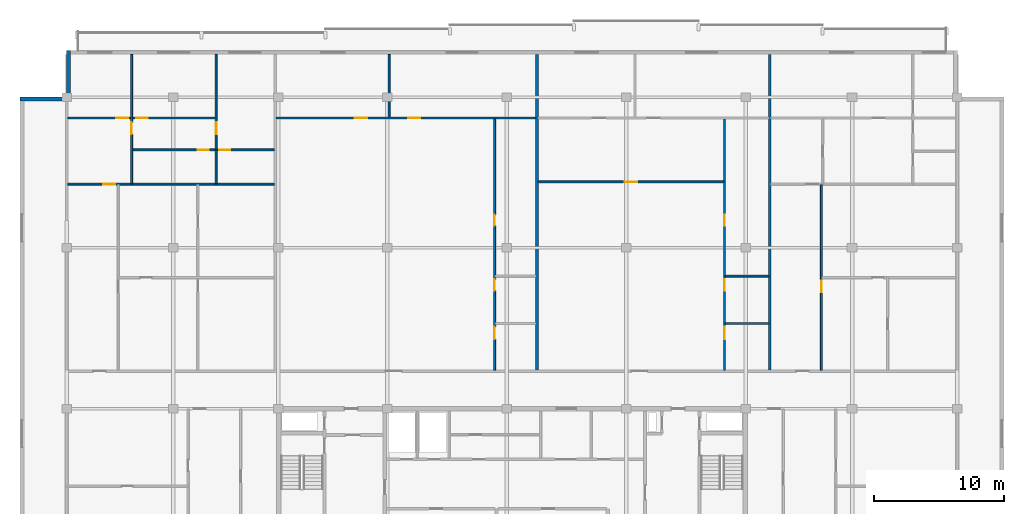
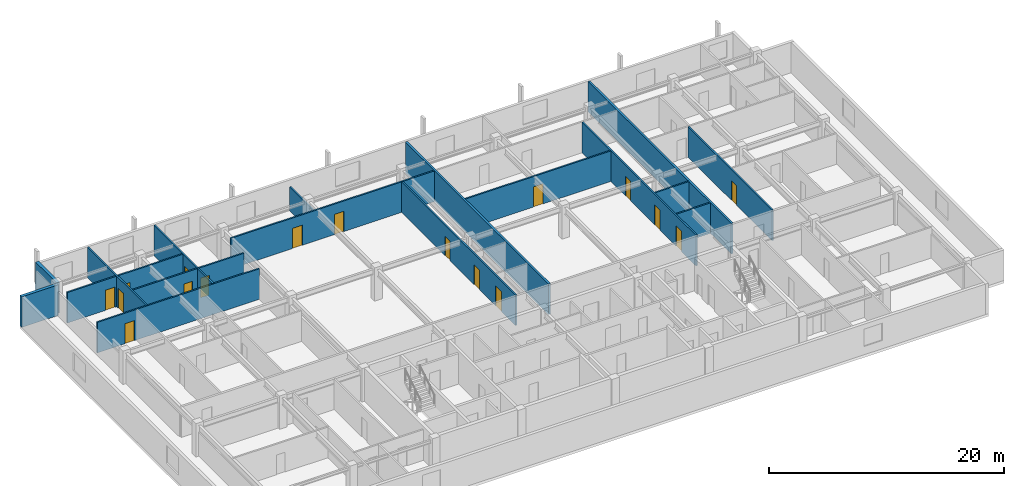
# One storey, part 6 of 10: 18 walls, 17 doors, 17 openings.
"""IFC4 building model written with IfcOpenShell, lengths in metres."""

from ifc_helpers import new_model, si_unit, direction, frame, frame_2d, origin, place, context, subcontext, project, spatial, rectangle, extrude, material, layer, layer_set, type_object, element, fill, save


model = new_model("IFC4")

# Units and contexts
model_context = context("Model", 3, precision=1e-05, world=origin(), true_north=direction((0.0, 1.0)))
body_context = subcontext(model_context, "Body", "Model", "MODEL_VIEW")
ifc_project = project(units=[si_unit("LENGTHUNIT", "METRE"), si_unit("AREAUNIT", "SQUARE_METRE"), si_unit("VOLUMEUNIT", "CUBIC_METRE"), si_unit("PLANEANGLEUNIT", "RADIAN"), si_unit("MASSUNIT", "GRAM", prefix="KILO")], contexts=[model_context])

# Site, building, storey
site_placement = place(None, origin())
site = spatial("IfcSite", under=ifc_project, at=site_placement, CompositionType="ELEMENT")
building_placement = place(site_placement, origin())
building = spatial("IfcBuilding", under=site, at=building_placement, Name="Korimba Cascade Residences", CompositionType="ELEMENT")
storey_placement = place(building_placement, frame((0.0, 0.0, 245.89990234375)))
storey = spatial("IfcBuildingStorey", under=building, at=storey_placement, Name="L71", CompositionType="ELEMENT", Elevation=245.89990234375)

# Walls
ifc_material_1 = material(Name="Precast concrete C40/50", Category="concrete")
ifc_layer_1 = layer(ifc_material_1, 0.300048828125)
ifc_layer_set_1 = layer_set([ifc_layer_1], Name="Precast concrete C40/50")
wall_type_1 = type_object("IfcWallType", Name="EW-STONE-300", PredefinedType="STANDARD", material=ifc_layer_set_1)
for number, where, z_axis, x_axis, name in (
    (1, (59.949951171875, 94.800048828125, 0.0), (0.0, 0.0, 1.0), (0.0, -1.0, 0.0), "L71 T1 Perimeter Stone Wall E07"),
    (2, (59.800048828125, 91.050048828125, 0.0), (0.0, 0.0, 1.0), (-1.0, 0.0, 0.0), "L71 T1 Perimeter Stone Wall E08"),
):
    element("IfcWall", number, at=place(storey_placement, frame(where, z_axis=z_axis, x_axis=x_axis)), inside=storey, type_object=wall_type_1, Name=name, PredefinedType="STANDARD", context=body_context, shape_type="SweptSolid", body=[
        extrude(rectangle(XDim=3.60009765625, YDim=0.300048828125, at=frame_2d((1.800048828125, 0.0))), origin(), (0.0, 0.0, 1.0), 3.170166015625),
    ])
ifc_layer_2 = layer(ifc_material_1, 0.199951171875)
ifc_layer_set_2 = layer_set([ifc_layer_2], Name="Precast concrete C40/50")
wall_type_2 = type_object("IfcWallType", Name="WAL-IT-200", PredefinedType="PARTITIONING", material=ifc_layer_set_2)
for number, where, z_axis, x_axis, name in (
    (3, (96.0244140625, 70.179931640625, 0.0), (0.0, 0.0, 1.0), (0.0, 1.0, 0.0), "L71 Partition Wall WAL-L71-T1-DEM-2"),
    (4, (113.96875, 70.179931640625, 0.0), (0.0, 0.0, 1.0), (0.0, 1.0, 0.0), "L71 Partition Wall WAL-L71-T1-DEM-3"),
):
    element("IfcWall", number, at=place(storey_placement, frame(where, z_axis=z_axis, x_axis=x_axis)), inside=storey, type_object=wall_type_2, Name=name, PredefinedType="PARTITIONING", context=body_context, shape_type="SweptSolid", body=[
        extrude(rectangle(XDim=24.320068359375, YDim=0.199951171875, at=frame_2d((12.16015625, 0.0))), origin(), (0.0, 0.0, 1.0), 3.170166015625),
    ])

# Wall, opening, door
ifc_material_2 = material(Name="Insulated Acoustic Stud Partition", Category="gypsum")
ifc_layer_3 = layer(ifc_material_2, 0.14990234375)
ifc_layer_set_3 = layer_set([ifc_layer_3], Name="Insulated Acoustic Stud Partition")
wall_type_3 = type_object("IfcWallType", Name="WAL-PART-150", PredefinedType="PARTITIONING", material=ifc_layer_set_3)
wall_1_placement = place(storey_placement, frame((64.800048828125, 84.5400390625, 0.0), z_axis=(0.0, 0.0, 1.0), x_axis=(0.0, 1.0, 0.0)))
wall_1 = element("IfcWall", 5, at=wall_1_placement, inside=storey, type_object=wall_type_3, Name="L71 Partition Wall WAL-L71-T1-U01-V1", PredefinedType="PARTITIONING", context=body_context, shape_type="SweptSolid", body=[
    extrude(rectangle(XDim=9.9599609375, YDim=0.14990234375, at=frame_2d((4.97998046875, 0.0))), origin(), (0.0, 0.0, 1.0), 3.170166015625),
])
opening_1_placement = place(wall_1_placement, frame((3.820068359375, 0.0, 0.0)))
opening_1 = element("IfcOpeningElement", 6, at=opening_1_placement, cuts=wall_1, Name="Opening D-IN1", PredefinedType="OPENING", context=body_context, shape_type="SweptSolid", body=[
    extrude(rectangle(XDim=0.919921875, YDim=2.080078125, at=frame_2d((0.4599609375, 1.0400390625))), frame((0.0, 0.0849609375, 0.0), z_axis=(0.0, -1.0, 0.0), x_axis=(1.0, 0.0, 0.0)), (0.0, 0.0, 1.0), 0.169921875),
])
ifc_material_3 = material(Name="Acoustic Timber Living Door", Category="wood")
door_type_1 = type_object("IfcDoorType", Name="DR-INT-920", OperationType="NOTDEFINED", PredefinedType="DOOR", material=ifc_material_3)
door_1_placement = place(opening_1_placement, origin())
door_1 = element("IfcDoor", 7, at=door_1_placement, inside=storey, type_object=door_type_1, Name="L71-T1-U01 Hallway Door", OperationType="SINGLE_SWING_RIGHT", OverallHeight=2.080078125, OverallWidth=0.919921875, PredefinedType="DOOR", context=body_context, shape_type="SweptSolid", body=[
    extrude(rectangle(XDim=0.919921875, YDim=2.080078125, at=frame_2d((0.4599609375, 1.0400390625))), frame((0.0, 0.02490234375, 0.0), z_axis=(0.0, -1.0, 0.0), x_axis=(1.0, 0.0, 0.0)), (0.0, 0.0, 1.0), 0.050048828125),
])
fill(opening_1, door_1)

# Wall
wall_2_placement = place(storey_placement, frame((71.314208984375, 84.5400390625, 0.0), z_axis=(0.0, 0.0, 1.0), x_axis=(0.0, 1.0, 0.0)))
element("IfcWall", 8, at=wall_2_placement, inside=storey, type_object=wall_type_3, Name="L71 Partition Wall WAL-L71-T1-U01-VBATH", PredefinedType="PARTITIONING", context=body_context, shape_type="SweptSolid", body=[
    extrude(rectangle(XDim=2.580078125, YDim=0.14990234375, at=frame_2d((1.2900390625, 0.0))), origin(), (0.0, 0.0, 1.0), 3.170166015625),
])

# Wall, opening, door
wall_3_placement = place(storey_placement, frame((71.314208984375, 87.159912109375, 0.0), z_axis=(0.0, 0.0, 1.0), x_axis=(0.0, 1.0, 0.0)))
wall_3 = element("IfcWall", 9, at=wall_3_placement, inside=storey, type_object=wall_type_3, Name="L71 Partition Wall WAL-L71-T1-U01-V2FULL", PredefinedType="PARTITIONING", context=body_context, shape_type="SweptSolid", body=[
    extrude(rectangle(XDim=7.340087890625, YDim=0.14990234375, at=frame_2d((3.669921875, 0.0))), origin(), (0.0, 0.0, 1.0), 3.170166015625),
])
opening_2_placement = place(wall_3_placement, frame((1.199951171875, 0.0, 0.0)))
opening_2 = element("IfcOpeningElement", 10, at=opening_2_placement, cuts=wall_3, Name="Opening D-IN1", PredefinedType="OPENING", context=body_context, shape_type="SweptSolid", body=[
    extrude(rectangle(XDim=0.919921875, YDim=2.080078125, at=frame_2d((0.4599609375, 1.0400390625))), frame((0.0, 0.0849609375, 0.0), z_axis=(0.0, -1.0, 0.0), x_axis=(1.0, 0.0, 0.0)), (0.0, 0.0, 1.0), 0.169921875),
])
door_2_placement = place(opening_2_placement, origin())
door_2 = element("IfcDoor", 11, at=door_2_placement, inside=storey, type_object=door_type_1, Name="L71-T1-U01 Master Bedroom Door", OperationType="SINGLE_SWING_LEFT", OverallHeight=2.080078125, OverallWidth=0.919921875, PredefinedType="DOOR", context=body_context, shape_type="SweptSolid", body=[
    extrude(rectangle(XDim=0.919921875, YDim=2.080078125, at=frame_2d((0.4599609375, 1.0400390625))), frame((0.0, 0.02490234375, 0.0), z_axis=(0.0, -1.0, 0.0), x_axis=(1.0, 0.0, 0.0)), (0.0, 0.0, 1.0), 0.050048828125),
])
fill(opening_2, door_2)

# Wall, openings, doors
wall_4_placement = place(storey_placement, frame((64.840087890625, 87.139892578125, 0.0), z_axis=(0.0, 0.0, 1.0), x_axis=(1.0, 0.0, 0.0)))
wall_4 = element("IfcWall", 12, at=wall_4_placement, inside=storey, type_object=wall_type_3, Name="L71 Partition Wall WAL-L71-T1-U01-HWALL", PredefinedType="PARTITIONING", context=body_context, shape_type="SweptSolid", body=[
    extrude(rectangle(XDim=10.945068359375, YDim=0.14990234375, at=frame_2d((5.47265625, 0.0))), origin(), (0.0, 0.0, 1.0), 3.170166015625),
])
opening_3_placement = place(wall_4_placement, frame((5.052490234375, 0.0, 0.0)))
opening_3 = element("IfcOpeningElement", 13, at=opening_3_placement, cuts=wall_4, Name="Opening D-BT1", PredefinedType="OPENING", context=body_context, shape_type="SweptSolid", body=[
    extrude(rectangle(XDim=0.840087890625, YDim=2.0400390625, at=frame_2d((0.419921875, 1.02001953125))), frame((0.0, 0.0849609375, 0.0), z_axis=(0.0, -1.0, 0.0), x_axis=(1.0, 0.0, 0.0)), (0.0, 0.0, 1.0), 0.169921875),
])
opening_4_placement = place(wall_4_placement, frame((6.72412109375, 0.0, 0.0)))
opening_4 = element("IfcOpeningElement", 14, at=opening_4_placement, cuts=wall_4, Name="Opening D-BT1", PredefinedType="OPENING", context=body_context, shape_type="SweptSolid", body=[
    extrude(rectangle(XDim=0.840087890625, YDim=2.0400390625, at=frame_2d((0.419921875, 1.02001953125))), frame((0.0, 0.0849609375, 0.0), z_axis=(0.0, -1.0, 0.0), x_axis=(1.0, 0.0, 0.0)), (0.0, 0.0, 1.0), 0.169921875),
])
ifc_material_4 = material(Name="Moisture-Resistant Bathroom Timber Door", Category="wood")
door_type_2 = type_object("IfcDoorType", Name="DR-INT-850", OperationType="NOTDEFINED", PredefinedType="DOOR", material=ifc_material_4)
door_3_placement = place(opening_3_placement, origin())
door_3 = element("IfcDoor", 15, at=door_3_placement, inside=storey, type_object=door_type_2, Name="L71-T1-U01 Family Bathroom Door", OperationType="SINGLE_SWING_RIGHT", OverallHeight=2.0400390625, OverallWidth=0.840087890625, PredefinedType="DOOR", context=body_context, shape_type="SweptSolid", body=[
    extrude(rectangle(XDim=0.840087890625, YDim=2.0400390625, at=frame_2d((0.419921875, 1.02001953125))), frame((0.0, 0.02490234375, 0.0), z_axis=(0.0, -1.0, 0.0), x_axis=(1.0, 0.0, 0.0)), (0.0, 0.0, 1.0), 0.050048828125),
])
fill(opening_3, door_3)
door_4_placement = place(opening_4_placement, origin())
door_4 = element("IfcDoor", 16, at=door_4_placement, inside=storey, type_object=door_type_2, Name="L71-T1-U01 En-Suite Door", OperationType="SINGLE_SWING_LEFT", OverallHeight=2.0400390625, OverallWidth=0.840087890625, PredefinedType="DOOR", context=body_context, shape_type="SweptSolid", body=[
    extrude(rectangle(XDim=0.840087890625, YDim=2.0400390625, at=frame_2d((0.419921875, 1.02001953125))), frame((0.0, 0.02490234375, 0.0), z_axis=(0.0, -1.0, 0.0), x_axis=(1.0, 0.0, 0.0)), (0.0, 0.0, 1.0), 0.050048828125),
])
fill(opening_4, door_4)

# Wall, opening, door
wall_5_placement = place(storey_placement, frame((59.8798828125, 84.5, 0.0), z_axis=(0.0, 0.0, 1.0), x_axis=(1.0, 0.0, 0.0)))
wall_5 = element("IfcWall", 17, at=wall_5_placement, inside=storey, type_object=wall_type_3, Name="L71 Partition Wall WAL-L71-T1-U01-MW", PredefinedType="PARTITIONING", context=body_context, shape_type="SweptSolid", body=[
    extrude(rectangle(XDim=15.9052734375, YDim=0.14990234375, at=frame_2d((7.95263671875, 0.0))), origin(), (0.0, 0.0, 1.0), 3.170166015625),
])
opening_5_placement = place(wall_5_placement, frame((2.719970703125, 0.0, 0.0)))
opening_5 = element("IfcOpeningElement", 18, at=opening_5_placement, cuts=wall_5, Name="Opening D-IN1", PredefinedType="OPENING", context=body_context, shape_type="SweptSolid", body=[
    extrude(rectangle(XDim=0.919921875, YDim=2.080078125, at=frame_2d((0.4599609375, 1.0400390625))), frame((0.0, 0.0849609375, 0.0), z_axis=(0.0, -1.0, 0.0), x_axis=(1.0, 0.0, 0.0)), (0.0, 0.0, 1.0), 0.169921875),
])
door_5_placement = place(opening_5_placement, origin())
door_5 = element("IfcDoor", 19, at=door_5_placement, inside=storey, type_object=door_type_1, Name="L71-T1-U01 Kitchen Door", OperationType="SINGLE_SWING_RIGHT", OverallHeight=2.080078125, OverallWidth=0.919921875, PredefinedType="DOOR", context=body_context, shape_type="SweptSolid", body=[
    extrude(rectangle(XDim=0.919921875, YDim=2.080078125, at=frame_2d((0.4599609375, 1.0400390625))), frame((0.0, 0.02490234375, 0.0), z_axis=(0.0, -1.0, 0.0), x_axis=(1.0, 0.0, 0.0)), (0.0, 0.0, 1.0), 0.050048828125),
])
fill(opening_5, door_5)

# Wall, openings, doors
wall_6_placement = place(storey_placement, frame((59.8798828125, 89.60009765625, 0.0), z_axis=(0.0, 0.0, 1.0), x_axis=(1.0, 0.0, 0.0)))
wall_6 = element("IfcWall", 20, at=wall_6_placement, inside=storey, type_object=wall_type_3, Name="L71 Partition Wall WAL-L71-T1-U01-HZ", PredefinedType="PARTITIONING", context=body_context, shape_type="SweptSolid", body=[
    extrude(rectangle(XDim=11.434326171875, YDim=0.14990234375, at=frame_2d((5.71728515625, 0.0))), origin(), (0.0, 0.0, 1.0), 3.170166015625),
])
opening_6_placement = place(wall_6_placement, frame((3.72998046875, 0.0, 0.0)))
opening_6 = element("IfcOpeningElement", 21, at=opening_6_placement, cuts=wall_6, Name="Opening D-IN0", PredefinedType="OPENING", context=body_context, shape_type="SweptSolid", body=[
    extrude(rectangle(XDim=0.93994140625, YDim=2.10009765625, at=frame_2d((0.469970703125, 1.050048828125))), frame((0.0, 0.0849609375, 0.0), z_axis=(0.0, -1.0, 0.0), x_axis=(1.0, 0.0, 0.0)), (0.0, 0.0, 1.0), 0.169921875),
])
opening_7_placement = place(wall_6_placement, frame((5.277099609375, 0.0, 0.0)))
opening_7 = element("IfcOpeningElement", 22, at=opening_7_placement, cuts=wall_6, Name="Opening D-IN2", PredefinedType="OPENING", context=body_context, shape_type="SweptSolid", body=[
    extrude(rectangle(XDim=0.8798828125, YDim=2.06005859375, at=frame_2d((0.43994140625, 1.030029296875))), frame((0.0, 0.0849609375, 0.0), z_axis=(0.0, -1.0, 0.0), x_axis=(1.0, 0.0, 0.0)), (0.0, 0.0, 1.0), 0.169921875),
])
ifc_material_5 = material(Name="Acoustic Timber Bedroom Door", Category="wood")
door_type_3 = type_object("IfcDoorType", Name="DR-INT-880", OperationType="NOTDEFINED", PredefinedType="DOOR", material=ifc_material_5)
door_6_placement = place(opening_7_placement, origin())
door_6 = element("IfcDoor", 23, at=door_6_placement, inside=storey, type_object=door_type_3, Name="L71-T1-U01 Bedroom 2 Door", OperationType="SINGLE_SWING_RIGHT", OverallHeight=2.06005859375, OverallWidth=0.8798828125, PredefinedType="DOOR", context=body_context, shape_type="SweptSolid", body=[
    extrude(rectangle(XDim=0.8798828125, YDim=2.06005859375, at=frame_2d((0.43994140625, 1.030029296875))), frame((0.0, 0.02490234375, 0.0), z_axis=(0.0, -1.0, 0.0), x_axis=(1.0, 0.0, 0.0)), (0.0, 0.0, 1.0), 0.050048828125),
])
fill(opening_7, door_6)
ifc_material_6 = material(Name="Acoustic Timber Living Archway Door", Category="wood")
door_type_4 = type_object("IfcDoorType", Name="DR-INT-950", OperationType="NOTDEFINED", PredefinedType="DOOR", material=ifc_material_6)
door_7_placement = place(opening_6_placement, origin())
door_7 = element("IfcDoor", 24, at=door_7_placement, inside=storey, type_object=door_type_4, Name="L71-T1-U01 Living Room Door", OperationType="SINGLE_SWING_LEFT", OverallHeight=2.10009765625, OverallWidth=0.93994140625, PredefinedType="DOOR", context=body_context, shape_type="SweptSolid", body=[
    extrude(rectangle(XDim=0.93994140625, YDim=2.10009765625, at=frame_2d((0.469970703125, 1.050048828125))), frame((0.0, 0.02490234375, 0.0), z_axis=(0.0, -1.0, 0.0), x_axis=(1.0, 0.0, 0.0)), (0.0, 0.0, 1.0), 0.050048828125),
])
fill(opening_6, door_7)

wall_7_placement = place(storey_placement, frame((92.75439453125, 70.159912109375, 0.0), z_axis=(0.0, 0.0, 1.0), x_axis=(0.0, 1.0, 0.0)))
wall_7 = element("IfcWall", 25, at=wall_7_placement, inside=storey, type_object=wall_type_3, Name="L71 Partition Wall WAL-L71-T1-U02-WCV", PredefinedType="PARTITIONING", context=body_context, shape_type="SweptSolid", body=[
    extrude(rectangle(XDim=19.380126953125, YDim=0.14990234375, at=frame_2d((9.68994140625, 0.0))), origin(), (0.0, 0.0, 1.0), 3.170166015625),
])
opening_8_placement = place(wall_7_placement, frame((2.406005859375, 0.0, 0.0)))
opening_8 = element("IfcOpeningElement", 26, at=opening_8_placement, cuts=wall_7, Name="Opening D-AC1", PredefinedType="OPENING", context=body_context, shape_type="SweptSolid", body=[
    extrude(rectangle(XDim=0.9599609375, YDim=2.10009765625, at=frame_2d((0.47998046875, 1.050048828125))), frame((0.0, 0.0849609375, 0.0), z_axis=(0.0, -1.0, 0.0), x_axis=(1.0, 0.0, 0.0)), (0.0, 0.0, 1.0), 0.169921875),
])
opening_9_placement = place(wall_7_placement, frame((6.132568359375, 0.0, 0.0)))
opening_9 = element("IfcOpeningElement", 27, at=opening_9_placement, cuts=wall_7, Name="Opening D-IN2", PredefinedType="OPENING", context=body_context, shape_type="SweptSolid", body=[
    extrude(rectangle(XDim=0.8798828125, YDim=2.06005859375, at=frame_2d((0.43994140625, 1.030029296875))), frame((0.0, 0.0849609375, 0.0), z_axis=(0.0, -1.0, 0.0), x_axis=(1.0, 0.0, 0.0)), (0.0, 0.0, 1.0), 0.169921875),
])
opening_10_placement = place(wall_7_placement, frame((11.138916015625, 0.0, 0.0)))
opening_10 = element("IfcOpeningElement", 28, at=opening_10_placement, cuts=wall_7, Name="Opening D-BT1", PredefinedType="OPENING", context=body_context, shape_type="SweptSolid", body=[
    extrude(rectangle(XDim=0.840087890625, YDim=2.0400390625, at=frame_2d((0.419921875, 1.02001953125))), frame((0.0, 0.0849609375, 0.0), z_axis=(0.0, -1.0, 0.0), x_axis=(1.0, 0.0, 0.0)), (0.0, 0.0, 1.0), 0.169921875),
])
ifc_material_7 = material(Name="Accessible Acoustic Timber WC Door", Category="wood")
door_type_5 = type_object("IfcDoorType", Name="DR-ACC-950", OperationType="NOTDEFINED", PredefinedType="DOOR", material=ifc_material_7)
door_8_placement = place(opening_8_placement, origin())
door_8 = element("IfcDoor", 29, at=door_8_placement, inside=storey, type_object=door_type_5, Name="L71-T1-U02 Accessible WC Door", OperationType="SINGLE_SWING_LEFT", OverallHeight=2.10009765625, OverallWidth=0.9599609375, PredefinedType="DOOR", context=body_context, shape_type="SweptSolid", body=[
    extrude(rectangle(XDim=0.9599609375, YDim=2.10009765625, at=frame_2d((0.47998046875, 1.050048828125))), frame((0.0, 0.02490234375, 0.0), z_axis=(0.0, -1.0, 0.0), x_axis=(1.0, 0.0, 0.0)), (0.0, 0.0, 1.0), 0.050048828125),
])
fill(opening_8, door_8)
door_9_placement = place(opening_10_placement, origin())
door_9 = element("IfcDoor", 30, at=door_9_placement, inside=storey, type_object=door_type_2, Name="L71-T1-U02 Suite Store Door", OperationType="SINGLE_SWING_LEFT", OverallHeight=2.0400390625, OverallWidth=0.840087890625, PredefinedType="DOOR", context=body_context, shape_type="SweptSolid", body=[
    extrude(rectangle(XDim=0.840087890625, YDim=2.0400390625, at=frame_2d((0.419921875, 1.02001953125))), frame((0.0, 0.02490234375, 0.0), z_axis=(0.0, -1.0, 0.0), x_axis=(1.0, 0.0, 0.0)), (0.0, 0.0, 1.0), 0.050048828125),
])
fill(opening_10, door_9)
door_10_placement = place(opening_9_placement, origin())
door_10 = element("IfcDoor", 31, at=door_10_placement, inside=storey, type_object=door_type_3, Name="L71-T1-U02 Restroom WC Door", OperationType="SINGLE_SWING_RIGHT", OverallHeight=2.06005859375, OverallWidth=0.8798828125, PredefinedType="DOOR", context=body_context, shape_type="SweptSolid", body=[
    extrude(rectangle(XDim=0.8798828125, YDim=2.06005859375, at=frame_2d((0.43994140625, 1.030029296875))), frame((0.0, 0.02490234375, 0.0), z_axis=(0.0, -1.0, 0.0), x_axis=(1.0, 0.0, 0.0)), (0.0, 0.0, 1.0), 0.050048828125),
])
fill(opening_9, door_10)

# Wall
wall_8_placement = place(storey_placement, frame((84.6396484375, 89.679931640625, 0.0), z_axis=(0.0, 0.0, 1.0), x_axis=(0.0, 1.0, 0.0)))
element("IfcWall", 32, at=wall_8_placement, inside=storey, type_object=wall_type_3, Name="L71 Partition Wall WAL-L71-T1-U02-OUTV", PredefinedType="PARTITIONING", context=body_context, shape_type="SweptSolid", body=[
    extrude(rectangle(XDim=4.820068359375, YDim=0.14990234375, at=frame_2d((2.41015625, 0.0))), origin(), (0.0, 0.0, 1.0), 2.477294921875),
])

# Wall, openings, doors
wall_9_placement = place(storey_placement, frame((75.945068359375, 89.60009765625, 0.0), z_axis=(0.0, 0.0, 1.0), x_axis=(1.0, 0.0, 0.0)))
wall_9 = element("IfcWall", 33, at=wall_9_placement, inside=storey, type_object=wall_type_3, Name="L71 Partition Wall WAL-L71-T1-U02-HZ", PredefinedType="PARTITIONING", context=body_context, shape_type="SweptSolid", body=[
    extrude(rectangle(XDim=19.999267578125, YDim=0.14990234375, at=frame_2d((9.99951171875, 0.0))), origin(), (0.0, 0.0, 1.0), 3.170166015625),
])
opening_11_placement = place(wall_9_placement, frame((6.0537109375, 0.0, 0.0)))
opening_11 = element("IfcOpeningElement", 34, at=opening_11_placement, cuts=wall_9, Name="Opening D-IN0", PredefinedType="OPENING", context=body_context, shape_type="SweptSolid", body=[
    extrude(rectangle(XDim=0.93994140625, YDim=2.10009765625, at=frame_2d((0.469970703125, 1.050048828125))), frame((0.0, 0.0849609375, 0.0), z_axis=(0.0, -1.0, 0.0), x_axis=(1.0, 0.0, 0.0)), (0.0, 0.0, 1.0), 0.169921875),
])
opening_12_placement = place(wall_9_placement, frame((10.14599609375, 0.0, 0.0)))
opening_12 = element("IfcOpeningElement", 35, at=opening_12_placement, cuts=wall_9, Name="Opening D-IN0", PredefinedType="OPENING", context=body_context, shape_type="SweptSolid", body=[
    extrude(rectangle(XDim=0.93994140625, YDim=2.10009765625, at=frame_2d((0.469970703125, 1.050048828125))), frame((0.0, 0.0849609375, 0.0), z_axis=(0.0, -1.0, 0.0), x_axis=(1.0, 0.0, 0.0)), (0.0, 0.0, 1.0), 0.169921875),
])
door_11_placement = place(opening_11_placement, origin())
door_11 = element("IfcDoor", 36, at=door_11_placement, inside=storey, type_object=door_type_4, Name="L71-T1-U02 Fitness Pilates Gym Door", OperationType="SINGLE_SWING_RIGHT", OverallHeight=2.10009765625, OverallWidth=0.93994140625, PredefinedType="DOOR", context=body_context, shape_type="SweptSolid", body=[
    extrude(rectangle(XDim=0.93994140625, YDim=2.10009765625, at=frame_2d((0.469970703125, 1.050048828125))), frame((0.0, 0.02490234375, 0.0), z_axis=(0.0, -1.0, 0.0), x_axis=(1.0, 0.0, 0.0)), (0.0, 0.0, 1.0), 0.050048828125),
])
fill(opening_11, door_11)
door_12_placement = place(opening_12_placement, origin())
door_12 = element("IfcDoor", 37, at=door_12_placement, inside=storey, type_object=door_type_4, Name="L71-T1-U02 Private Screening Cinema Door", OperationType="SINGLE_SWING_LEFT", OverallHeight=2.10009765625, OverallWidth=0.93994140625, PredefinedType="DOOR", context=body_context, shape_type="SweptSolid", body=[
    extrude(rectangle(XDim=0.93994140625, YDim=2.10009765625, at=frame_2d((0.469970703125, 1.050048828125))), frame((0.0, 0.02490234375, 0.0), z_axis=(0.0, -1.0, 0.0), x_axis=(1.0, 0.0, 0.0)), (0.0, 0.0, 1.0), 0.050048828125),
])
fill(opening_12, door_12)

# Wall, opening, door
wall_10_placement = place(storey_placement, frame((96.104248046875, 84.679931640625, 0.0), z_axis=(0.0, 0.0, 1.0), x_axis=(1.0, 0.0, 0.0)))
wall_10 = element("IfcWall", 38, at=wall_10_placement, inside=storey, type_object=wall_type_3, Name="L71 Partition Wall WAL-L71-T1-U03-CARH", PredefinedType="PARTITIONING", context=body_context, shape_type="SweptSolid", body=[
    extrude(rectangle(XDim=14.324462890625, YDim=0.14990234375, at=frame_2d((7.162109375, 0.0))), origin(), (0.0, 0.0, 1.0), 3.170166015625),
])
opening_13_placement = place(wall_10_placement, frame((6.6923828125, 0.0, 0.0)))
opening_13 = element("IfcOpeningElement", 39, at=opening_13_placement, cuts=wall_10, Name="Opening D-IN0", PredefinedType="OPENING", context=body_context, shape_type="SweptSolid", body=[
    extrude(rectangle(XDim=0.93994140625, YDim=2.10009765625, at=frame_2d((0.469970703125, 1.050048828125))), frame((0.0, 0.0849609375, 0.0), z_axis=(0.0, -1.0, 0.0), x_axis=(1.0, 0.0, 0.0)), (0.0, 0.0, 1.0), 0.169921875),
])
door_13_placement = place(opening_13_placement, origin())
door_13 = element("IfcDoor", 40, at=door_13_placement, inside=storey, type_object=door_type_4, Name="L71-T1-U03 Wellness Clinic Foyer Door", OperationType="SINGLE_SWING_RIGHT", OverallHeight=2.10009765625, OverallWidth=0.93994140625, PredefinedType="DOOR", context=body_context, shape_type="SweptSolid", body=[
    extrude(rectangle(XDim=0.93994140625, YDim=2.10009765625, at=frame_2d((0.469970703125, 1.050048828125))), frame((0.0, 0.02490234375, 0.0), z_axis=(0.0, -1.0, 0.0), x_axis=(1.0, 0.0, 0.0)), (0.0, 0.0, 1.0), 0.050048828125),
])
fill(opening_13, door_13)

# Walls
for number, where, z_axis, x_axis, name in (
    (41, (110.52880859375, 73.77001953125, 0.0), (0.0, 0.0, 1.0), (1.0, 0.0, 0.0), "L71 Partition Wall WAL-L71-T1-U03-WCH"),
    (42, (110.52880859375, 77.419921875, 0.0), (0.0, 0.0, 1.0), (1.0, 0.0, 0.0), "L71 Partition Wall WAL-L71-T1-U03-WCH2"),
):
    element("IfcWall", number, at=place(storey_placement, frame(where, z_axis=z_axis, x_axis=x_axis)), inside=storey, type_object=wall_type_3, Name=name, PredefinedType="PARTITIONING", context=body_context, shape_type="SweptSolid", body=[
        extrude(rectangle(XDim=3.360107421875, YDim=0.14990234375, at=frame_2d((1.68017578125, 0.0))), origin(), (0.0, 0.0, 1.0), 3.170166015625),
    ])

# Wall, openings, doors
wall_11_placement = place(storey_placement, frame((110.46875, 70.159912109375, 0.0), z_axis=(0.0, 0.0, 1.0), x_axis=(0.0, 1.0, 0.0)))
wall_11 = element("IfcWall", 43, at=wall_11_placement, inside=storey, type_object=wall_type_3, Name="L71 Partition Wall WAL-L71-T1-U03-WCV", PredefinedType="PARTITIONING", context=body_context, shape_type="SweptSolid", body=[
    extrude(rectangle(XDim=19.380126953125, YDim=0.14990234375, at=frame_2d((9.68994140625, 0.0))), origin(), (0.0, 0.0, 1.0), 3.170166015625),
])
opening_14_placement = place(wall_11_placement, frame((2.406005859375, 0.0, 0.0)))
opening_14 = element("IfcOpeningElement", 44, at=opening_14_placement, cuts=wall_11, Name="Opening D-AC1", PredefinedType="OPENING", context=body_context, shape_type="SweptSolid", body=[
    extrude(rectangle(XDim=0.9599609375, YDim=2.10009765625, at=frame_2d((0.47998046875, 1.050048828125))), frame((0.0, 0.0849609375, 0.0), z_axis=(0.0, -1.0, 0.0), x_axis=(1.0, 0.0, 0.0)), (0.0, 0.0, 1.0), 0.169921875),
])
opening_15_placement = place(wall_11_placement, frame((6.132568359375, 0.0, 0.0)))
opening_15 = element("IfcOpeningElement", 45, at=opening_15_placement, cuts=wall_11, Name="Opening D-IN2", PredefinedType="OPENING", context=body_context, shape_type="SweptSolid", body=[
    extrude(rectangle(XDim=0.8798828125, YDim=2.06005859375, at=frame_2d((0.43994140625, 1.030029296875))), frame((0.0, 0.0849609375, 0.0), z_axis=(0.0, -1.0, 0.0), x_axis=(1.0, 0.0, 0.0)), (0.0, 0.0, 1.0), 0.169921875),
])
opening_16_placement = place(wall_11_placement, frame((11.138916015625, 0.0, 0.0)))
opening_16 = element("IfcOpeningElement", 46, at=opening_16_placement, cuts=wall_11, Name="Opening D-BT1", PredefinedType="OPENING", context=body_context, shape_type="SweptSolid", body=[
    extrude(rectangle(XDim=0.840087890625, YDim=2.0400390625, at=frame_2d((0.419921875, 1.02001953125))), frame((0.0, 0.0849609375, 0.0), z_axis=(0.0, -1.0, 0.0), x_axis=(1.0, 0.0, 0.0)), (0.0, 0.0, 1.0), 0.169921875),
])
door_14_placement = place(opening_14_placement, origin())
door_14 = element("IfcDoor", 47, at=door_14_placement, inside=storey, type_object=door_type_5, Name="L71-T1-U03 Accessible WC Door", OperationType="SINGLE_SWING_LEFT", OverallHeight=2.10009765625, OverallWidth=0.9599609375, PredefinedType="DOOR", context=body_context, shape_type="SweptSolid", body=[
    extrude(rectangle(XDim=0.9599609375, YDim=2.10009765625, at=frame_2d((0.47998046875, 1.050048828125))), frame((0.0, 0.02490234375, 0.0), z_axis=(0.0, -1.0, 0.0), x_axis=(1.0, 0.0, 0.0)), (0.0, 0.0, 1.0), 0.050048828125),
])
fill(opening_14, door_14)
door_15_placement = place(opening_16_placement, origin())
door_15 = element("IfcDoor", 48, at=door_15_placement, inside=storey, type_object=door_type_2, Name="L71-T1-U03 Suite Store Door", OperationType="SINGLE_SWING_LEFT", OverallHeight=2.0400390625, OverallWidth=0.840087890625, PredefinedType="DOOR", context=body_context, shape_type="SweptSolid", body=[
    extrude(rectangle(XDim=0.840087890625, YDim=2.0400390625, at=frame_2d((0.419921875, 1.02001953125))), frame((0.0, 0.02490234375, 0.0), z_axis=(0.0, -1.0, 0.0), x_axis=(1.0, 0.0, 0.0)), (0.0, 0.0, 1.0), 0.050048828125),
])
fill(opening_16, door_15)
door_16_placement = place(opening_15_placement, origin())
door_16 = element("IfcDoor", 49, at=door_16_placement, inside=storey, type_object=door_type_3, Name="L71-T1-U03 Restroom WC Door", OperationType="SINGLE_SWING_RIGHT", OverallHeight=2.06005859375, OverallWidth=0.8798828125, PredefinedType="DOOR", context=body_context, shape_type="SweptSolid", body=[
    extrude(rectangle(XDim=0.8798828125, YDim=2.06005859375, at=frame_2d((0.43994140625, 1.030029296875))), frame((0.0, 0.02490234375, 0.0), z_axis=(0.0, -1.0, 0.0), x_axis=(1.0, 0.0, 0.0)), (0.0, 0.0, 1.0), 0.050048828125),
])
fill(opening_15, door_16)

# Wall, opening, door
wall_12_placement = place(storey_placement, frame((117.938720703125, 70.159912109375, 0.0), z_axis=(0.0, 0.0, 1.0), x_axis=(0.0, 1.0, 0.0)))
wall_12 = element("IfcWall", 50, at=wall_12_placement, inside=storey, type_object=wall_type_3, Name="L71 Partition Wall WAL-L71-T1-U04-FV", PredefinedType="PARTITIONING", context=body_context, shape_type="SweptSolid", body=[
    extrude(rectangle(XDim=14.300048828125, YDim=0.14990234375, at=frame_2d((7.14990234375, 0.0))), origin(), (0.0, 0.0, 1.0), 3.170166015625),
])
opening_17_placement = place(wall_12_placement, frame((6.02001953125, 0.0, 0.0)))
opening_17 = element("IfcOpeningElement", 51, at=opening_17_placement, cuts=wall_12, Name="Opening D-IN2", PredefinedType="OPENING", context=body_context, shape_type="SweptSolid", body=[
    extrude(rectangle(XDim=0.8798828125, YDim=2.06005859375, at=frame_2d((0.43994140625, 1.030029296875))), frame((0.0, 0.0849609375, 0.0), z_axis=(0.0, -1.0, 0.0), x_axis=(1.0, 0.0, 0.0)), (0.0, 0.0, 1.0), 0.169921875),
])
door_17_placement = place(opening_17_placement, origin())
door_17 = element("IfcDoor", 52, at=door_17_placement, inside=storey, type_object=door_type_3, Name="L71-T1-U04 Media Lounge Door", OperationType="SINGLE_SWING_RIGHT", OverallHeight=2.06005859375, OverallWidth=0.8798828125, PredefinedType="DOOR", context=body_context, shape_type="SweptSolid", body=[
    extrude(rectangle(XDim=0.8798828125, YDim=2.06005859375, at=frame_2d((0.43994140625, 1.030029296875))), frame((0.0, 0.02490234375, 0.0), z_axis=(0.0, -1.0, 0.0), x_axis=(1.0, 0.0, 0.0)), (0.0, 0.0, 1.0), 0.050048828125),
])
fill(opening_17, door_17)

save(model, "model.ifc")
